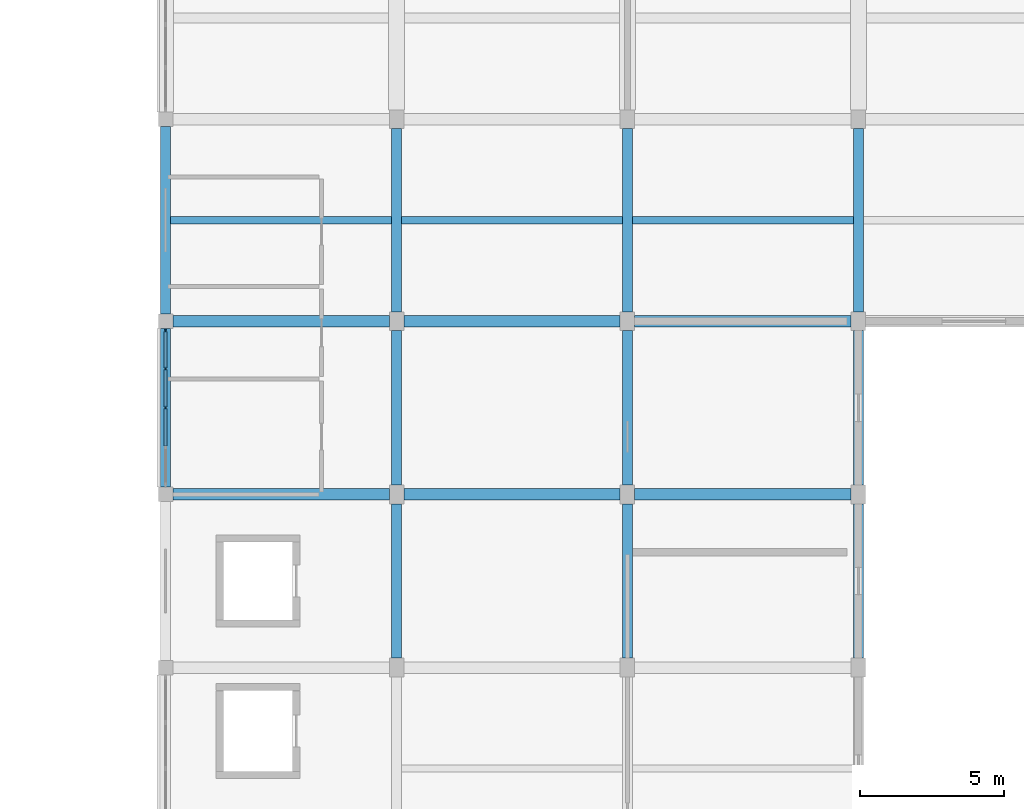
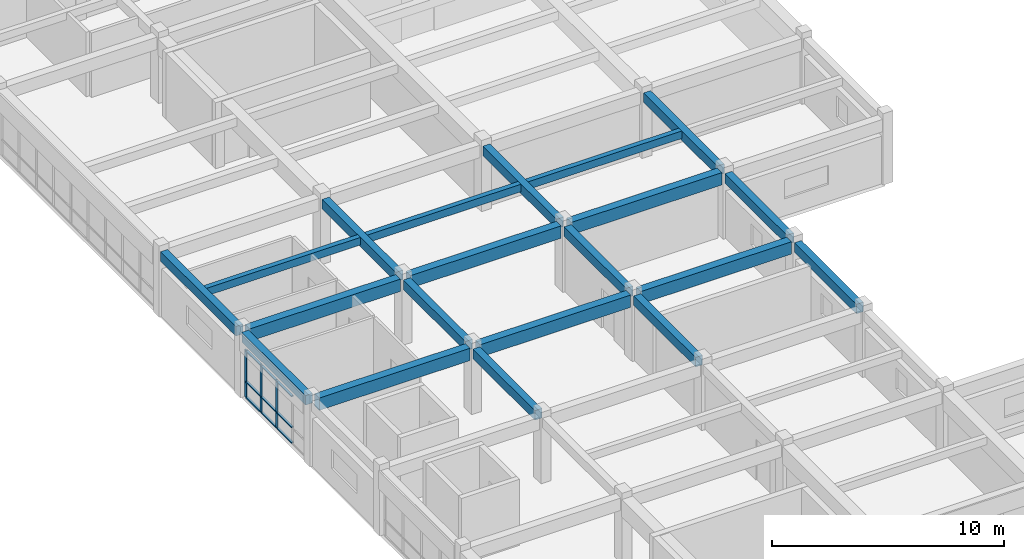
# One storey, part 5 of 17: 20 beams, 12 members, 1 element without a shape of its own.
"""IFC4 building model written with IfcOpenShell, lengths in metres."""

import ifcopenshell
import ifcopenshell.guid

model = None  # the IFC model being written
_history = None  # IfcOwnerHistory: only IFC2X3 demands one
_inside = {}  # id of a spatial element -> (the spatial element, [elements in it])
_under = {}  # id of a project, library or spatial element -> (it, [spatial elements below it])
_declared = {}  # id of a project -> (the project, [libraries it declares])
_typed = {}  # id of a type object -> (the type object, [elements of that type])
_made_of = {}  # id of a material, layer set ... -> (it, [elements and type objects made of it])


def new_model(schema):
    """Start an empty IFC model of exactly this schema.

    Asked for "IFC4X3", IfcOpenShell would pick the latest addendum, in which some entities
    have other attributes; the version numbers below select the first issue.
    IFC2X3 requires an IfcOwnerHistory on every rooted entity: one is made here for all.
    """
    global model, _history
    if schema == "IFC4X3":
        model = ifcopenshell.file(schema_version=(4, 3, 0, 0))
    else:
        model = ifcopenshell.file(schema=schema)
    _inside.clear()
    _under.clear()
    _declared.clear()
    _typed.clear()
    _made_of.clear()
    _history = None
    if model.schema == "IFC2X3":
        org = make("IfcOrganization", Name="unknown")
        user = make(
            "IfcPersonAndOrganization",
            ThePerson=make("IfcPerson", FamilyName="unknown"),
            TheOrganization=org,
        )
        app = make(
            "IfcApplication",
            ApplicationDeveloper=org,
            Version="unknown",
            ApplicationFullName="unknown",
            ApplicationIdentifier="unknown",
        )
        _history = make(
            "IfcOwnerHistory",
            OwningUser=user,
            OwningApplication=app,
            ChangeAction="ADDED",
            CreationDate=0,
        )
    return model


def make(cls, **values):
    """One entity of the class cls with the attributes given. An attribute that is None is left unset."""
    return model.create_entity(
        cls, **{name: value for name, value in values.items() if value is not None}
    )


def rooted(cls, **values):
    """An entity with a GlobalId (a new one), such as an element, a storey or a relation."""
    return make(cls, GlobalId=ifcopenshell.guid.new(), OwnerHistory=_history, **values)


def si_unit(unit_type, name, prefix=None):
    """IfcSIUnit, for example si_unit("LENGTHUNIT", "METRE", prefix="MILLI")."""
    return make("IfcSIUnit", UnitType=unit_type, Prefix=prefix, Name=name)


def assignment(units):
    """IfcUnitAssignment: the units of a project."""
    return None if units is None else make("IfcUnitAssignment", Units=units)


def point(xyz):
    """IfcCartesianPoint."""
    return None if xyz is None else make("IfcCartesianPoint", Coordinates=xyz)


def direction(xyz):
    """IfcDirection."""
    return None if xyz is None else make("IfcDirection", DirectionRatios=xyz)


def frame(location, z_axis=None, x_axis=None):
    """IfcAxis2Placement3D, a coordinate frame: its origin and axes. An axis left out is left unset."""
    return make(
        "IfcAxis2Placement3D",
        Location=point(location),
        Axis=direction(z_axis),
        RefDirection=direction(x_axis),
    )


def frame_2d(location, x_axis=None):
    """IfcAxis2Placement2D, a coordinate frame in the plane: its origin and x axis."""
    return make(
        "IfcAxis2Placement2D", Location=point(location), RefDirection=direction(x_axis)
    )


def origin():
    """The frame at (0, 0, 0) with its axes left unset."""
    return frame((0.0, 0.0, 0.0))


def origin_2d():
    """The frame at (0, 0) in the plane with its x axis left unset."""
    return frame_2d((0.0, 0.0))


def place(relative_to, where):
    """IfcLocalPlacement: puts the frame where relative to a parent placement (None: the world)."""
    return make(
        "IfcLocalPlacement", PlacementRelTo=relative_to, RelativePlacement=where
    )


def context(
    kind, dimensions, precision=None, world=None, true_north=None, identifier=None
):
    """IfcGeometricRepresentationContext, for example the 3D "Model" context."""
    return make(
        "IfcGeometricRepresentationContext",
        ContextIdentifier=identifier,
        ContextType=kind,
        CoordinateSpaceDimension=dimensions,
        Precision=precision,
        WorldCoordinateSystem=world,
        TrueNorth=true_north,
    )


def subcontext(parent, identifier, kind, view, scale=None):
    """IfcGeometricRepresentationSubContext, for example "Body" below "Model"."""
    return make(
        "IfcGeometricRepresentationSubContext",
        ContextIdentifier=identifier,
        ContextType=kind,
        ParentContext=parent,
        TargetScale=scale,
        TargetView=view,
    )


def project(units=None, contexts=None):
    """IfcProject with its units and contexts."""
    return rooted(
        "IfcProject",
        Name="project",
        RepresentationContexts=contexts,
        UnitsInContext=assignment(units),
    )


def spatial(cls, under=None, at=None, **own):
    """A site, building, storey or space (cls), placed at a placement, below another one or the project."""
    s = rooted(cls, ObjectPlacement=at, **own)
    if under is not None:
        _under.setdefault(under.id(), (under, []))[1].append(s)
    return s


def profile(cls, at=None, kind="AREA", **sizes):
    """A parametric profile (cls). Its sizes go by their IFC names, for example OverallWidth=200.0."""
    return make(cls, ProfileType=kind, Position=at, **sizes)


def rectangle(**sizes):
    """IfcRectangleProfileDef."""
    return profile("IfcRectangleProfileDef", **sizes)


def extrude(swept, where, along, depth):
    """IfcExtrudedAreaSolid: the profile swept, set in the frame where, extruded along a direction by depth."""
    return make(
        "IfcExtrudedAreaSolid",
        SweptArea=swept,
        Position=where,
        ExtrudedDirection=direction(along),
        Depth=depth,
    )


def shape(context_of_items, identifier, shape_type, items):
    """IfcShapeRepresentation: the items that make up one representation, for example the "Body"."""
    return make(
        "IfcShapeRepresentation",
        ContextOfItems=context_of_items,
        RepresentationIdentifier=identifier,
        RepresentationType=shape_type,
        Items=items,
    )


def material(Name=None, Category=None):
    """IfcMaterial."""
    return make("IfcMaterial", Name=Name, Category=Category)


def layer(
    of_material, thickness, ventilated=None, Name=None, Category=None, Priority=None
):
    """IfcMaterialLayer: one layer of a wall or slab, of a material (None: an air gap)."""
    return make(
        "IfcMaterialLayer",
        Material=of_material,
        LayerThickness=thickness,
        IsVentilated=ventilated,
        Name=Name,
        Category=Category,
        Priority=Priority,
    )


def layer_set(layers, Name=None):
    """IfcMaterialLayerSet."""
    return make("IfcMaterialLayerSet", MaterialLayers=layers, LayerSetName=Name)


def material_profile(
    of_material, cross_section, Name=None, Category=None, Priority=None
):
    """IfcMaterialProfile: a cross section and its material."""
    return make(
        "IfcMaterialProfile",
        Name=Name,
        Material=of_material,
        Profile=cross_section,
        Priority=Priority,
        Category=Category,
    )


def profile_set(profiles, Name=None, composite=None):
    """IfcMaterialProfileSet."""
    return make(
        "IfcMaterialProfileSet",
        Name=Name,
        MaterialProfiles=profiles,
        CompositeProfile=composite,
    )


def made_of(thing, what):
    """Note that an element or type object is made of a material, layer set ...; save() writes the relation."""
    if what is not None:
        _made_of.setdefault(what.id(), (what, []))[1].append(thing)
    return thing


def type_object(cls, material=None, **own):
    """A type object (cls), such as IfcWallType, which elements share."""
    return made_of(rooted(cls, **own), material)


def element(
    cls,
    number,
    at=None,
    inside=None,
    cuts=None,
    type_object=None,
    material=None,
    context=None,
    identifier="Body",
    shape_type=None,
    held_by="IfcProductDefinitionShape",
    body=None,
    shapes=None,
    **own,
):
    """One element of the class cls, such as IfcWall. Its Tag is "e" and its number.

    at: its placement. inside: the storey or other place that contains it. cuts: it is an
    opening in that element (IfcRelVoidsElement). A single representation is given by context,
    identifier, shape_type and body (its items); several are given by shapes. held_by: the class
    of the entity that holds the representations. save() writes the other relations.
    """
    e = rooted(cls, Tag="e%d" % number, ObjectPlacement=at, **own)
    if body is not None:
        shapes = [shape(context, identifier, shape_type, body)]
    if shapes is not None:
        e.Representation = make(held_by, Representations=shapes)
    if inside is not None:
        _inside.setdefault(inside.id(), (inside, []))[1].append(e)
    if cuts is not None:
        rooted(
            "IfcRelVoidsElement", RelatingBuildingElement=cuts, RelatedOpeningElement=e
        )
    if type_object is not None:
        _typed.setdefault(type_object.id(), (type_object, []))[1].append(e)
    return made_of(e, material)


def aggregate(whole, parts):
    """IfcRelAggregates: a whole, such as a stair, and the parts it consists of."""
    return rooted("IfcRelAggregates", RelatingObject=whole, RelatedObjects=parts)


def save(model, path):
    """Write the relations noted so far, then the file.

    IfcRelAggregates (storeys below a building ...), IfcRelContainedInSpatialStructure (elements
    in a storey), IfcRelDefinesByType, IfcRelAssociatesMaterial and IfcRelDeclares: one each for
    every whole, place, type object, material and project.
    """
    for whole, parts in _under.values():
        aggregate(whole, parts)
    for where, things in _inside.values():
        rooted(
            "IfcRelContainedInSpatialStructure",
            RelatedElements=things,
            RelatingStructure=where,
        )
    for kind, things in _typed.values():
        rooted("IfcRelDefinesByType", RelatedObjects=things, RelatingType=kind)
    for what, things in _made_of.values():
        rooted("IfcRelAssociatesMaterial", RelatedObjects=things, RelatingMaterial=what)
    for by, libraries in _declared.values():
        rooted("IfcRelDeclares", RelatingContext=by, RelatedDefinitions=libraries)
    model.write(path)


model = new_model("IFC4")

# Units and contexts
model_context = context("Model", 3, precision=1e-05, world=origin(), true_north=direction((0.0, 1.0)))
body_context = subcontext(model_context, "Body", "Model", "MODEL_VIEW")
ifc_project = project(units=[si_unit("LENGTHUNIT", "METRE"), si_unit("AREAUNIT", "SQUARE_METRE"), si_unit("VOLUMEUNIT", "CUBIC_METRE"), si_unit("PLANEANGLEUNIT", "RADIAN"), si_unit("MASSUNIT", "GRAM", prefix="KILO")], contexts=[model_context])

# Site, building, storey
site_placement = place(None, origin())
site = spatial("IfcSite", under=ifc_project, at=site_placement, CompositionType="ELEMENT")
building_placement = place(site_placement, origin())
building = spatial("IfcBuilding", under=site, at=building_placement, Name="Naurynzar Civic Courthouse", CompositionType="ELEMENT")
storey_placement = place(building_placement, frame((0.0, 0.0, 29.550048828125)))
storey = spatial("IfcBuildingStorey", under=building, at=storey_placement, Name="L08", CompositionType="ELEMENT", Elevation=29.550048828125)

# Beams
ifc_material_1 = material(Name="Concrete C40/50", Category="concrete")
ifc_material_profile_1 = material_profile(ifc_material_1, rectangle(XDim=0.25, YDim=0.39990234375, at=origin_2d()), Name="RCB 250x400")
ifc_profile_set_1 = profile_set([ifc_material_profile_1], Name="Concrete C40/50")
beam_type_1 = type_object("IfcBeamType", Name="BM-JST-250x400", PredefinedType="JOIST", material=ifc_profile_set_1)
for number, where, z_axis, x_axis, name in (
    (1, (130.175048828125, 47.5, 3.22998046875), (1.0, 0.0, 0.0), (0.0, 1.0, 0.0), "V5 secondary rib 2971 L08"),
    (2, (138.175048828125, 47.5, 3.22998046875), (1.0, 0.0, 0.0), (0.0, 1.0, 0.0), "V5 secondary rib 2972 L08"),
    (3, (146.175048828125, 47.5, 3.22998046875), (1.0, 0.0, 0.0), (0.0, 1.0, 0.0), "V5 secondary rib 2973 L08"),
):
    element("IfcBeam", number, at=place(storey_placement, frame(where, z_axis=z_axis, x_axis=x_axis)), inside=storey, type_object=beam_type_1, Name=name, PredefinedType="JOIST", context=body_context, shape_type="SweptSolid", body=[
        extrude(rectangle(XDim=0.25, YDim=0.39990234375, at=origin_2d()), origin(), (0.0, 0.0, 1.0), 7.64990234375),
    ])
ifc_material_2 = material(Name="Concrete C40/50", Category="concrete")
ifc_material_profile_2 = material_profile(ifc_material_2, rectangle(XDim=0.35009765625, YDim=0.5, at=origin_2d()), Name="RCB 350x500")
ifc_profile_set_2 = profile_set([ifc_material_profile_2], Name="Concrete C40/50")
beam_type_2 = type_object("IfcBeamType", Name="BM-RC-350x500", PredefinedType="BEAM", material=ifc_profile_set_2)
beam_1_placement = place(storey_placement, frame((130.0, 38.25, 3.179931640625), z_axis=(0.0, 1.0, 0.0), x_axis=(-1.0, 0.0, 0.0)))
element("IfcBeam", 4, at=beam_1_placement, inside=storey, type_object=beam_type_2, Name="V5 girder Y-2938 L08", PredefinedType="BEAM", context=body_context, shape_type="SweptSolid", body=[
    extrude(rectangle(XDim=0.35009765625, YDim=0.5, at=origin_2d()), origin(), (0.0, 0.0, 1.0), 5.5),
])
beam_2_placement = place(storey_placement, frame((130.0, 44.25, 3.179931640625), z_axis=(0.0, 1.0, 0.0), x_axis=(-1.0, 0.0, 0.0)))
element("IfcBeam", 5, at=beam_2_placement, inside=storey, type_object=beam_type_2, Name="V5 girder Y-2939 L08", PredefinedType="BEAM", context=body_context, shape_type="SweptSolid", body=[
    extrude(rectangle(XDim=0.35009765625, YDim=0.5, at=origin_2d()), origin(), (0.0, 0.0, 1.0), 6.5),
])
for number, where, z_axis, x_axis, name in (
    (6, (138.0, 32.324951171875, 3.179931640625), (0.0, 1.0, 0.0), (-1.0, 0.0, 0.0), "V5 girder Y-2944 L08"),
    (7, (138.0, 38.324951171875, 3.179931640625), (0.0, 1.0, 0.0), (-1.0, 0.0, 0.0), "V5 girder Y-2945 L08"),
):
    element("IfcBeam", number, at=place(storey_placement, frame(where, z_axis=z_axis, x_axis=x_axis)), inside=storey, type_object=beam_type_2, Name=name, PredefinedType="BEAM", context=body_context, shape_type="SweptSolid", body=[
        extrude(rectangle(XDim=0.35009765625, YDim=0.5, at=origin_2d()), origin(), (0.0, 0.0, 1.0), 5.35009765625),
    ])
beam_3_placement = place(storey_placement, frame((138.0, 44.324951171875, 3.179931640625), z_axis=(0.0, 1.0, 0.0), x_axis=(-1.0, 0.0, 0.0)))
element("IfcBeam", 8, at=beam_3_placement, inside=storey, type_object=beam_type_2, Name="V5 girder Y-2946 L08", PredefinedType="BEAM", context=body_context, shape_type="SweptSolid", body=[
    extrude(rectangle(XDim=0.35009765625, YDim=0.5, at=origin_2d()), origin(), (0.0, 0.0, 1.0), 6.35009765625),
])
for number, where, z_axis, x_axis, name in (
    (9, (146.0, 32.324951171875, 3.179931640625), (0.0, 1.0, 0.0), (-1.0, 0.0, 0.0), "V5 girder Y-2951 L08"),
    (10, (146.0, 38.324951171875, 3.179931640625), (0.0, 1.0, 0.0), (-1.0, 0.0, 0.0), "V5 girder Y-2952 L08"),
):
    element("IfcBeam", number, at=place(storey_placement, frame(where, z_axis=z_axis, x_axis=x_axis)), inside=storey, type_object=beam_type_2, Name=name, PredefinedType="BEAM", context=body_context, shape_type="SweptSolid", body=[
        extrude(rectangle(XDim=0.35009765625, YDim=0.5, at=origin_2d()), origin(), (0.0, 0.0, 1.0), 5.35009765625),
    ])
beam_4_placement = place(storey_placement, frame((146.0, 44.324951171875, 3.179931640625), z_axis=(0.0, 1.0, 0.0), x_axis=(-1.0, 0.0, 0.0)))
element("IfcBeam", 11, at=beam_4_placement, inside=storey, type_object=beam_type_2, Name="V5 girder Y-2953 L08", PredefinedType="BEAM", context=body_context, shape_type="SweptSolid", body=[
    extrude(rectangle(XDim=0.35009765625, YDim=0.5, at=origin_2d()), origin(), (0.0, 0.0, 1.0), 6.35009765625),
])
for number, where, z_axis, x_axis, name in (
    (12, (154.0, 32.324951171875, 3.179931640625), (0.0, 1.0, 0.0), (-1.0, 0.0, 0.0), "V5 girder Y-2958 L08"),
    (13, (154.0, 38.324951171875, 3.179931640625), (0.0, 1.0, 0.0), (-1.0, 0.0, 0.0), "V5 girder Y-2959 L08"),
):
    element("IfcBeam", number, at=place(storey_placement, frame(where, z_axis=z_axis, x_axis=x_axis)), inside=storey, type_object=beam_type_2, Name=name, PredefinedType="BEAM", context=body_context, shape_type="SweptSolid", body=[
        extrude(rectangle(XDim=0.35009765625, YDim=0.5, at=origin_2d()), origin(), (0.0, 0.0, 1.0), 5.35009765625),
    ])
beam_5_placement = place(storey_placement, frame((154.0, 44.324951171875, 3.179931640625), z_axis=(0.0, 1.0, 0.0), x_axis=(-1.0, 0.0, 0.0)))
element("IfcBeam", 14, at=beam_5_placement, inside=storey, type_object=beam_type_2, Name="V5 girder Y-2960 L08", PredefinedType="BEAM", context=body_context, shape_type="SweptSolid", body=[
    extrude(rectangle(XDim=0.35009765625, YDim=0.5, at=origin_2d()), origin(), (0.0, 0.0, 1.0), 6.35009765625),
])
ifc_material_3 = material(Name="Concrete C40/50", Category="concrete")
ifc_material_profile_3 = material_profile(ifc_material_3, rectangle(XDim=0.39990234375, YDim=0.64990234375, at=origin_2d()), Name="RCB 400x650")
ifc_profile_set_3 = profile_set([ifc_material_profile_3], Name="Concrete C40/50")
beam_type_3 = type_object("IfcBeamType", Name="BM-RC-400x650", PredefinedType="BEAM", material=ifc_profile_set_3)
for number, where, z_axis, x_axis, name in (
    (15, (130.25, 38.0, 3.10498046875), (1.0, 0.0, 0.0), (0.0, 1.0, 0.0), "V5 beam X-2916 L08"),
    (16, (138.25, 38.0, 3.10498046875), (1.0, 0.0, 0.0), (0.0, 1.0, 0.0), "V5 beam X-2917 L08"),
    (17, (146.25, 38.0, 3.10498046875), (1.0, 0.0, 0.0), (0.0, 1.0, 0.0), "V5 beam X-2918 L08"),
    (18, (130.25, 44.0, 3.10498046875), (1.0, 0.0, 0.0), (0.0, 1.0, 0.0), "V5 beam X-2919 L08"),
    (19, (138.25, 44.0, 3.10498046875), (1.0, 0.0, 0.0), (0.0, 1.0, 0.0), "V5 beam X-2920 L08"),
    (20, (146.25, 44.0, 3.10498046875), (1.0, 0.0, 0.0), (0.0, 1.0, 0.0), "V5 beam X-2921 L08"),
):
    element("IfcBeam", number, at=place(storey_placement, frame(where, z_axis=z_axis, x_axis=x_axis)), inside=storey, type_object=beam_type_3, Name=name, PredefinedType="BEAM", context=body_context, shape_type="SweptSolid", body=[
        extrude(rectangle(XDim=0.39990234375, YDim=0.64990234375, at=origin_2d()), origin(), (0.0, 0.0, 1.0), 7.5),
    ])

# Curtain wall, members
ifc_material_4 = material(Name="Aluminium 6063-T6", Category="aluminium")
ifc_layer = layer(ifc_material_4, 0.179931640625)
ifc_layer_set = layer_set([ifc_layer], Name="CW-UNIT-1500")
curtain_wall_type = type_object("IfcCurtainWallType", Name="CW-UNIT-1500", PredefinedType="NOTDEFINED", material=ifc_layer_set)
curtain_wall_placement = place(storey_placement, origin())
curtain_wall = element("IfcCurtainWall", 21, at=curtain_wall_placement, inside=storey, type_object=curtain_wall_type, Name="V5 unitised curtain wall 118 L08", PredefinedType="NOTDEFINED")
ifc_material_5 = material(Name="Aluminium 6063-T6", Category="aluminium")
ifc_material_profile_4 = material_profile(ifc_material_5, rectangle(XDim=0.06005859375, YDim=0.14990234375, at=origin_2d()), Name="ALU MULLION 60x150")
ifc_profile_set_4 = profile_set([ifc_material_profile_4], Name="Aluminium 6063-T6")
member_type_1 = type_object("IfcMemberType", Name="CWM-60x150", PredefinedType="MULLION", material=ifc_profile_set_4)
member_1_placement = place(storey_placement, frame((130.0, 41.0, 0.0), z_axis=(0.0, 0.0, 1.0), x_axis=(-1.0, 0.0, 0.0)))
member_1 = element("IfcMember", 22, at=member_1_placement, type_object=member_type_1, Name="CW-01 mullion 3", PredefinedType="MULLION", context=body_context, shape_type="SweptSolid", body=[
    extrude(rectangle(XDim=0.06005859375, YDim=0.14990234375, at=origin_2d()), origin(), (0.0, 0.0, 1.0), 2.510009765625),
])
member_2_placement = place(storey_placement, frame((130.0, 42.35009765625, 0.0), z_axis=(0.0, 0.0, 1.0), x_axis=(-1.0, 0.0, 0.0)))
member_2 = element("IfcMember", 23, at=member_2_placement, type_object=member_type_1, Name="CW-01 mullion 4", PredefinedType="MULLION", context=body_context, shape_type="SweptSolid", body=[
    extrude(rectangle(XDim=0.06005859375, YDim=0.14990234375, at=origin_2d()), origin(), (0.0, 0.0, 1.0), 2.510009765625),
])
member_3_placement = place(storey_placement, frame((130.0, 43.669921875, 0.0), z_axis=(0.0, 0.0, 1.0), x_axis=(-1.0, 0.0, 0.0)))
member_3 = element("IfcMember", 24, at=member_3_placement, type_object=member_type_1, Name="CW-01 mullion 5", PredefinedType="MULLION", context=body_context, shape_type="SweptSolid", body=[
    extrude(rectangle(XDim=0.06005859375, YDim=0.14990234375, at=origin_2d()), origin(), (0.0, 0.0, 1.0), 2.510009765625),
])
ifc_material_6 = material(Name="Aluminium 6063-T6", Category="aluminium")
ifc_material_profile_5 = material_profile(ifc_material_6, rectangle(XDim=0.110107421875, YDim=0.06005859375, at=origin_2d()), Name="ALU TRANSOM 60x110")
ifc_profile_set_5 = profile_set([ifc_material_profile_5], Name="Aluminium 6063-T6")
member_type_2 = type_object("IfcMemberType", Name="CWT-60x110", PredefinedType="USERDEFINED", material=ifc_profile_set_5)
member_4_placement = place(storey_placement, frame((130.0, 39.679931640625, 0.030029296875), z_axis=(0.0, 1.0, 0.0), x_axis=(-1.0, 0.0, 0.0)))
member_4 = element("IfcMember", 25, at=member_4_placement, type_object=member_type_2, Name="CW-01 transom 2.1", ObjectType="TRANSOM", PredefinedType="USERDEFINED", context=body_context, shape_type="SweptSolid", body=[
    extrude(rectangle(XDim=0.110107421875, YDim=0.06005859375, at=origin_2d()), origin(), (0.0, 0.0, 1.0), 1.2900390625),
])
member_5_placement = place(storey_placement, frame((130.0, 39.679931640625, 0.849853515625), z_axis=(0.0, 1.0, 0.0), x_axis=(-1.0, 0.0, 0.0)))
member_5 = element("IfcMember", 26, at=member_5_placement, type_object=member_type_2, Name="CW-01 transom 2.2", ObjectType="TRANSOM", PredefinedType="USERDEFINED", context=body_context, shape_type="SweptSolid", body=[
    extrude(rectangle(XDim=0.110107421875, YDim=0.06005859375, at=origin_2d()), origin(), (0.0, 0.0, 1.0), 1.2900390625),
])
member_6_placement = place(storey_placement, frame((130.0, 39.679931640625, 2.47998046875), z_axis=(0.0, 1.0, 0.0), x_axis=(-1.0, 0.0, 0.0)))
member_6 = element("IfcMember", 27, at=member_6_placement, type_object=member_type_2, Name="CW-01 transom 2.3", ObjectType="TRANSOM", PredefinedType="USERDEFINED", context=body_context, shape_type="SweptSolid", body=[
    extrude(rectangle(XDim=0.110107421875, YDim=0.06005859375, at=origin_2d()), origin(), (0.0, 0.0, 1.0), 1.2900390625),
])
member_7_placement = place(storey_placement, frame((130.0, 41.030029296875, 0.030029296875), z_axis=(0.0, 1.0, 0.0), x_axis=(-1.0, 0.0, 0.0)))
member_7 = element("IfcMember", 28, at=member_7_placement, type_object=member_type_2, Name="CW-01 transom 3.1", ObjectType="TRANSOM", PredefinedType="USERDEFINED", context=body_context, shape_type="SweptSolid", body=[
    extrude(rectangle(XDim=0.110107421875, YDim=0.06005859375, at=origin_2d()), origin(), (0.0, 0.0, 1.0), 1.2900390625),
])
member_8_placement = place(storey_placement, frame((130.0, 41.030029296875, 0.849853515625), z_axis=(0.0, 1.0, 0.0), x_axis=(-1.0, 0.0, 0.0)))
member_8 = element("IfcMember", 29, at=member_8_placement, type_object=member_type_2, Name="CW-01 transom 3.2", ObjectType="TRANSOM", PredefinedType="USERDEFINED", context=body_context, shape_type="SweptSolid", body=[
    extrude(rectangle(XDim=0.110107421875, YDim=0.06005859375, at=origin_2d()), origin(), (0.0, 0.0, 1.0), 1.2900390625),
])
member_9_placement = place(storey_placement, frame((130.0, 41.030029296875, 2.47998046875), z_axis=(0.0, 1.0, 0.0), x_axis=(-1.0, 0.0, 0.0)))
member_9 = element("IfcMember", 30, at=member_9_placement, type_object=member_type_2, Name="CW-01 transom 3.3", ObjectType="TRANSOM", PredefinedType="USERDEFINED", context=body_context, shape_type="SweptSolid", body=[
    extrude(rectangle(XDim=0.110107421875, YDim=0.06005859375, at=origin_2d()), origin(), (0.0, 0.0, 1.0), 1.2900390625),
])
member_10_placement = place(storey_placement, frame((130.0, 42.3798828125, 0.030029296875), z_axis=(0.0, 1.0, 0.0), x_axis=(-1.0, 0.0, 0.0)))
member_10 = element("IfcMember", 31, at=member_10_placement, type_object=member_type_2, Name="CW-01 transom 4.1", ObjectType="TRANSOM", PredefinedType="USERDEFINED", context=body_context, shape_type="SweptSolid", body=[
    extrude(rectangle(XDim=0.110107421875, YDim=0.06005859375, at=origin_2d()), origin(), (0.0, 0.0, 1.0), 1.260009765625),
])
member_11_placement = place(storey_placement, frame((130.0, 42.3798828125, 0.849853515625), z_axis=(0.0, 1.0, 0.0), x_axis=(-1.0, 0.0, 0.0)))
member_11 = element("IfcMember", 32, at=member_11_placement, type_object=member_type_2, Name="CW-01 transom 4.2", ObjectType="TRANSOM", PredefinedType="USERDEFINED", context=body_context, shape_type="SweptSolid", body=[
    extrude(rectangle(XDim=0.110107421875, YDim=0.06005859375, at=origin_2d()), origin(), (0.0, 0.0, 1.0), 1.260009765625),
])
member_12_placement = place(storey_placement, frame((130.0, 42.3798828125, 2.47998046875), z_axis=(0.0, 1.0, 0.0), x_axis=(-1.0, 0.0, 0.0)))
member_12 = element("IfcMember", 33, at=member_12_placement, type_object=member_type_2, Name="CW-01 transom 4.3", ObjectType="TRANSOM", PredefinedType="USERDEFINED", context=body_context, shape_type="SweptSolid", body=[
    extrude(rectangle(XDim=0.110107421875, YDim=0.06005859375, at=origin_2d()), origin(), (0.0, 0.0, 1.0), 1.260009765625),
])
aggregate(curtain_wall, [member_1, member_2, member_3, member_4, member_5, member_6, member_7, member_8, member_9, member_10, member_11, member_12])

save(model, "model.ifc")
